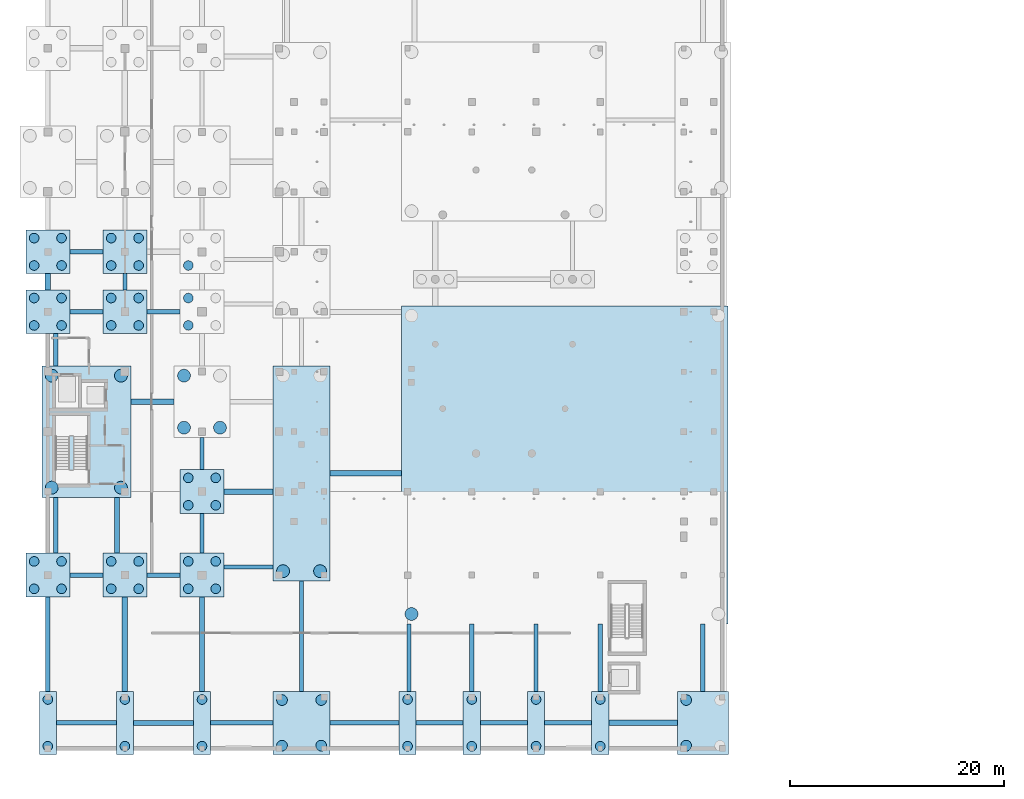
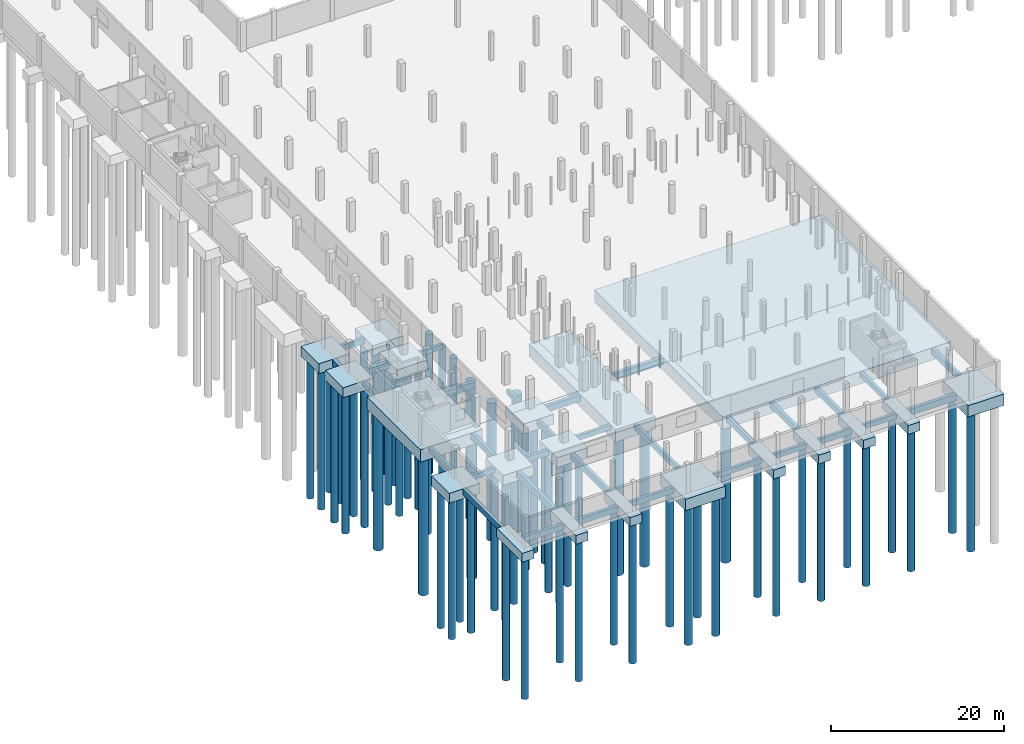
# One storey, part 1 of 34: 65 piles, 53 footings.
"""IFC4 building model written with IfcOpenShell, lengths in metres."""

from ifc_helpers import new_model, si_unit, direction, frame, origin, origin_2d, place, context, subcontext, project, spatial, rectangle, circle, extrude, material, material_profile, profile_set, type_object, element, save


model = new_model("IFC4")

# Units and contexts
model_context = context("Model", 3, precision=1e-05, world=origin(), true_north=direction((0.0, 1.0)))
body_context = subcontext(model_context, "Body", "Model", "MODEL_VIEW")
ifc_project = project(units=[si_unit("LENGTHUNIT", "METRE"), si_unit("AREAUNIT", "SQUARE_METRE"), si_unit("VOLUMEUNIT", "CUBIC_METRE"), si_unit("PLANEANGLEUNIT", "RADIAN"), si_unit("MASSUNIT", "GRAM", prefix="KILO")], contexts=[model_context])

# Site, building, storey
site_placement = place(None, origin())
site = spatial("IfcSite", under=ifc_project, at=site_placement, CompositionType="ELEMENT")
building_placement = place(site_placement, origin())
building = spatial("IfcBuilding", under=site, at=building_placement, Name="Vinh Khe Railworks Police Headquarters", CompositionType="ELEMENT")
storey_placement = place(building_placement, frame((0.0, 0.0, -4.199951171875)))
storey = spatial("IfcBuildingStorey", under=building, at=storey_placement, Name="B1", CompositionType="ELEMENT", Elevation=-4.199951171875)

# Piles
ifc_material = material(Name="Concrete C35/45 (B35)", Category="concrete")
ifc_material_profile_1 = material_profile(ifc_material, circle(Radius=0.5, at=origin_2d()), Name="BORED PILE D1000")
ifc_profile_set_1 = profile_set([ifc_material_profile_1], Name="Concrete C35/45 (B35)")
pile_type_1 = type_object("IfcPileType", Name="Bored Pile D1000", PredefinedType="BORED", material=ifc_profile_set_1)
for number, where, z_axis, x_axis, name in (
    (1, (22.469970703125, 1.469970703125, -1.949951171875), (0.0, 0.0, -1.0), (1.0, 0.0, 0.0), "Bored Pile BP100-145"),
    (2, (22.469970703125, 5.72998046875, -1.949951171875), (0.0, 0.0, -1.0), (1.0, 0.0, 0.0), "Bored Pile BP100-146"),
    (3, (26.1298828125, 1.469970703125, -1.949951171875), (0.0, 0.0, -1.0), (1.0, 0.0, 0.0), "Bored Pile BP100-147"),
    (4, (26.1298828125, 5.72998046875, -1.949951171875), (0.0, 0.0, -1.0), (1.0, 0.0, 0.0), "Bored Pile BP100-148"),
    (5, (60.219970703125, 1.469970703125, -1.949951171875), (0.0, 0.0, -1.0), (1.0, 0.0, 0.0), "Bored Pile BP100-233"),
    (6, (60.219970703125, 5.72998046875, -1.949951171875), (0.0, 0.0, -1.0), (1.0, 0.0, 0.0), "Bored Pile BP100-234"),
):
    element("IfcPile", number, at=place(storey_placement, frame(where, z_axis=z_axis, x_axis=x_axis)), inside=storey, type_object=pile_type_1, Name=name, PredefinedType="BORED", context=body_context, shape_type="SweptSolid", body=[
        extrude(circle(Radius=0.5, at=origin_2d()), origin(), (0.0, 0.0, 1.0), 19.60009765625),
    ])
ifc_material_profile_2 = material_profile(ifc_material, circle(Radius=0.60009765625, at=origin_2d()), Name="BORED PILE D1200")
ifc_profile_set_2 = profile_set([ifc_material_profile_2], Name="Concrete C35/45 (B35)")
pile_type_2 = type_object("IfcPileType", Name="Bored Pile D1200", PredefinedType="BORED", material=ifc_profile_set_2)
for number, where, z_axis, x_axis, name in (
    (7, (0.969970703125, 25.570068359375, -2.10009765625), (0.0, 0.0, -1.0), (1.0, 0.0, 0.0), "Bored Pile BP120-007"),
    (8, (0.969970703125, 36.030029296875, -2.10009765625), (0.0, 0.0, -1.0), (1.0, 0.0, 0.0), "Bored Pile BP120-008"),
    (9, (7.429931640625, 25.570068359375, -2.10009765625), (0.0, 0.0, -1.0), (1.0, 0.0, 0.0), "Bored Pile BP120-009"),
    (10, (7.429931640625, 36.030029296875, -2.10009765625), (0.0, 0.0, -1.0), (1.0, 0.0, 0.0), "Bored Pile BP120-010"),
    (11, (13.320068359375, 31.169921875, -2.10009765625), (0.0, 0.0, -1.0), (1.0, 0.0, 0.0), "Bored Pile BP120-099"),
    (12, (13.320068359375, 36.030029296875, -2.10009765625), (0.0, 0.0, -1.0), (1.0, 0.0, 0.0), "Bored Pile BP120-100"),
    (13, (16.679931640625, 31.169921875, -2.10009765625), (0.0, 0.0, -1.0), (1.0, 0.0, 0.0), "Bored Pile BP120-101"),
    (14, (22.570068359375, 17.77001953125, -2.10009765625), (0.0, 0.0, -1.0), (1.0, 0.0, 0.0), "Bored Pile BP120-149"),
    (15, (26.030029296875, 17.77001953125, -2.10009765625), (0.0, 0.0, -1.0), (1.0, 0.0, 0.0), "Bored Pile BP120-151"),
    (16, (34.570068359375, 13.77001953125, -2.10009765625), (0.0, 0.0, -1.0), (1.0, 0.0, 0.0), "Bored Pile BP120-189"),
):
    element("IfcPile", number, at=place(storey_placement, frame(where, z_axis=z_axis, x_axis=x_axis)), inside=storey, type_object=pile_type_2, Name=name, PredefinedType="BORED", context=body_context, shape_type="SweptSolid", body=[
        extrude(circle(Radius=0.60009765625, at=origin_2d()), origin(), (0.0, 0.0, 1.0), 19.449951171875),
    ])
ifc_material_profile_3 = material_profile(ifc_material, circle(Radius=0.449951171875, at=origin_2d()), Name="BORED PILE D900")
ifc_profile_set_3 = profile_set([ifc_material_profile_3], Name="Concrete C35/45 (B35)")
pile_type_3 = type_object("IfcPileType", Name="Bored Pile D900", PredefinedType="BORED", material=ifc_profile_set_3)
for number, where, z_axis, x_axis, name in (
    (17, (0.60009765625, 1.419921875, -1.60009765625), (0.0, 0.0, -1.0), (1.0, 0.0, 0.0), "Bored Pile BP-001"),
    (18, (0.60009765625, 5.780029296875, -1.60009765625), (0.0, 0.0, -1.0), (1.0, 0.0, 0.0), "Bored Pile BP90-002"),
):
    element("IfcPile", number, at=place(storey_placement, frame(where, z_axis=z_axis, x_axis=x_axis)), inside=storey, type_object=pile_type_3, Name=name, PredefinedType="BORED", context=body_context, shape_type="SweptSolid", body=[
        extrude(circle(Radius=0.449951171875, at=origin_2d()), origin(), (0.0, 0.0, 1.0), 19.949951171875),
    ])
for number, where, z_axis, x_axis, name in (
    (19, (-0.679931640625, 16.1201171875, -1.75), (0.0, 0.0, -1.0), (1.0, 0.0, 0.0), "Bored Pile BP90-003"),
    (20, (-0.679931640625, 18.679931640625, -1.75), (0.0, 0.0, -1.0), (1.0, 0.0, 0.0), "Bored Pile BP90-004"),
    (21, (1.8798828125, 16.1201171875, -1.75), (0.0, 0.0, -1.0), (1.0, 0.0, 0.0), "Bored Pile BP90-005"),
    (22, (1.8798828125, 18.679931640625, -1.75), (0.0, 0.0, -1.0), (1.0, 0.0, 0.0), "Bored Pile BP90-006"),
    (23, (-0.679931640625, 40.719970703125, -1.75), (0.0, 0.0, -1.0), (1.0, 0.0, 0.0), "Bored Pile BP90-011"),
    (24, (-0.679931640625, 43.280029296875, -1.75), (0.0, 0.0, -1.0), (1.0, 0.0, 0.0), "Bored Pile BP90-012"),
    (25, (1.8798828125, 40.719970703125, -1.75), (0.0, 0.0, -1.0), (1.0, 0.0, 0.0), "Bored Pile BP90-013"),
    (26, (1.8798828125, 43.280029296875, -1.75), (0.0, 0.0, -1.0), (1.0, 0.0, 0.0), "Bored Pile BP90-014"),
    (27, (-0.679931640625, 46.320068359375, -1.75), (0.0, 0.0, -1.0), (1.0, 0.0, 0.0), "Bored Pile BP90-015"),
    (28, (-0.679931640625, 48.8798828125, -1.75), (0.0, 0.0, -1.0), (1.0, 0.0, 0.0), "Bored Pile BP90-016"),
    (29, (1.8798828125, 46.320068359375, -1.75), (0.0, 0.0, -1.0), (1.0, 0.0, 0.0), "Bored Pile BP90-017"),
    (30, (1.8798828125, 48.8798828125, -1.75), (0.0, 0.0, -1.0), (1.0, 0.0, 0.0), "Bored Pile BP90-018"),
):
    element("IfcPile", number, at=place(storey_placement, frame(where, z_axis=z_axis, x_axis=x_axis)), inside=storey, type_object=pile_type_3, Name=name, PredefinedType="BORED", context=body_context, shape_type="SweptSolid", body=[
        extrude(circle(Radius=0.449951171875, at=origin_2d()), origin(), (0.0, 0.0, 1.0), 19.800048828125),
    ])
for number, where, z_axis, x_axis, name in (
    (31, (7.800048828125, 1.419921875, -1.60009765625), (0.0, 0.0, -1.0), (1.0, 0.0, 0.0), "Bored Pile BP90-049"),
    (32, (7.800048828125, 5.780029296875, -1.60009765625), (0.0, 0.0, -1.0), (1.0, 0.0, 0.0), "Bored Pile BP90-050"),
):
    element("IfcPile", number, at=place(storey_placement, frame(where, z_axis=z_axis, x_axis=x_axis)), inside=storey, type_object=pile_type_3, Name=name, PredefinedType="BORED", context=body_context, shape_type="SweptSolid", body=[
        extrude(circle(Radius=0.449951171875, at=origin_2d()), origin(), (0.0, 0.0, 1.0), 19.949951171875),
    ])
for number, where, z_axis, x_axis, name in (
    (33, (6.52001953125, 16.1201171875, -1.75), (0.0, 0.0, -1.0), (1.0, 0.0, 0.0), "Bored Pile BP90-051"),
    (34, (6.52001953125, 18.679931640625, -1.75), (0.0, 0.0, -1.0), (1.0, 0.0, 0.0), "Bored Pile BP90-052"),
    (35, (9.080078125, 16.1201171875, -1.75), (0.0, 0.0, -1.0), (1.0, 0.0, 0.0), "Bored Pile BP90-053"),
    (36, (9.080078125, 18.679931640625, -1.75), (0.0, 0.0, -1.0), (1.0, 0.0, 0.0), "Bored Pile BP90-054"),
    (37, (6.52001953125, 40.719970703125, -1.75), (0.0, 0.0, -1.0), (1.0, 0.0, 0.0), "Bored Pile BP90-055"),
    (38, (6.52001953125, 43.280029296875, -1.75), (0.0, 0.0, -1.0), (1.0, 0.0, 0.0), "Bored Pile BP90-056"),
    (39, (9.080078125, 40.719970703125, -1.75), (0.0, 0.0, -1.0), (1.0, 0.0, 0.0), "Bored Pile BP90-057"),
    (40, (9.080078125, 43.280029296875, -1.75), (0.0, 0.0, -1.0), (1.0, 0.0, 0.0), "Bored Pile BP90-058"),
    (41, (6.52001953125, 46.320068359375, -1.75), (0.0, 0.0, -1.0), (1.0, 0.0, 0.0), "Bored Pile BP90-059"),
    (42, (6.52001953125, 48.8798828125, -1.75), (0.0, 0.0, -1.0), (1.0, 0.0, 0.0), "Bored Pile BP90-060"),
    (43, (9.080078125, 46.320068359375, -1.75), (0.0, 0.0, -1.0), (1.0, 0.0, 0.0), "Bored Pile BP90-061"),
    (44, (9.080078125, 48.8798828125, -1.75), (0.0, 0.0, -1.0), (1.0, 0.0, 0.0), "Bored Pile BP90-062"),
):
    element("IfcPile", number, at=place(storey_placement, frame(where, z_axis=z_axis, x_axis=x_axis)), inside=storey, type_object=pile_type_3, Name=name, PredefinedType="BORED", context=body_context, shape_type="SweptSolid", body=[
        extrude(circle(Radius=0.449951171875, at=origin_2d()), origin(), (0.0, 0.0, 1.0), 19.800048828125),
    ])
for number, where, z_axis, x_axis, name in (
    (45, (15.0, 1.419921875, -1.60009765625), (0.0, 0.0, -1.0), (1.0, 0.0, 0.0), "Bored Pile BP90-089"),
    (46, (15.0, 5.780029296875, -1.60009765625), (0.0, 0.0, -1.0), (1.0, 0.0, 0.0), "Bored Pile BP90-090"),
):
    element("IfcPile", number, at=place(storey_placement, frame(where, z_axis=z_axis, x_axis=x_axis)), inside=storey, type_object=pile_type_3, Name=name, PredefinedType="BORED", context=body_context, shape_type="SweptSolid", body=[
        extrude(circle(Radius=0.449951171875, at=origin_2d()), origin(), (0.0, 0.0, 1.0), 19.949951171875),
    ])
for number, where, z_axis, x_axis, name in (
    (47, (13.719970703125, 16.1201171875, -1.75), (0.0, 0.0, -1.0), (1.0, 0.0, 0.0), "Bored Pile BP90-091"),
    (48, (13.719970703125, 18.679931640625, -1.75), (0.0, 0.0, -1.0), (1.0, 0.0, 0.0), "Bored Pile BP90-092"),
    (49, (16.280029296875, 16.1201171875, -1.75), (0.0, 0.0, -1.0), (1.0, 0.0, 0.0), "Bored Pile BP90-093"),
    (50, (16.280029296875, 18.679931640625, -1.75), (0.0, 0.0, -1.0), (1.0, 0.0, 0.0), "Bored Pile BP90-094"),
    (51, (13.719970703125, 23.919921875, -1.75), (0.0, 0.0, -1.0), (1.0, 0.0, 0.0), "Bored Pile BP90-095"),
    (52, (13.719970703125, 26.47998046875, -1.75), (0.0, 0.0, -1.0), (1.0, 0.0, 0.0), "Bored Pile BP90-096"),
    (53, (16.280029296875, 23.919921875, -1.75), (0.0, 0.0, -1.0), (1.0, 0.0, 0.0), "Bored Pile BP90-097"),
    (54, (16.280029296875, 26.47998046875, -1.75), (0.0, 0.0, -1.0), (1.0, 0.0, 0.0), "Bored Pile BP90-098"),
    (55, (13.719970703125, 40.719970703125, -1.75), (0.0, 0.0, -1.0), (1.0, 0.0, 0.0), "Bored Pile BP90-103"),
    (56, (13.719970703125, 43.280029296875, -1.75), (0.0, 0.0, -1.0), (1.0, 0.0, 0.0), "Bored Pile BP90-104"),
    (57, (13.719970703125, 46.320068359375, -1.75), (0.0, 0.0, -1.0), (1.0, 0.0, 0.0), "Bored Pile BP90-107"),
):
    element("IfcPile", number, at=place(storey_placement, frame(where, z_axis=z_axis, x_axis=x_axis)), inside=storey, type_object=pile_type_3, Name=name, PredefinedType="BORED", context=body_context, shape_type="SweptSolid", body=[
        extrude(circle(Radius=0.449951171875, at=origin_2d()), origin(), (0.0, 0.0, 1.0), 19.800048828125),
    ])
for number, where, z_axis, x_axis, name in (
    (58, (34.199951171875, 1.419921875, -1.60009765625), (0.0, 0.0, -1.0), (1.0, 0.0, 0.0), "Bored Pile BP90-187"),
    (59, (34.199951171875, 5.780029296875, -1.60009765625), (0.0, 0.0, -1.0), (1.0, 0.0, 0.0), "Bored Pile BP90-188"),
    (60, (40.199951171875, 1.419921875, -1.60009765625), (0.0, 0.0, -1.0), (1.0, 0.0, 0.0), "Bored Pile BP90-209"),
    (61, (40.199951171875, 5.780029296875, -1.60009765625), (0.0, 0.0, -1.0), (1.0, 0.0, 0.0), "Bored Pile BP90-210"),
    (62, (46.199951171875, 1.419921875, -1.60009765625), (0.0, 0.0, -1.0), (1.0, 0.0, 0.0), "Bored Pile BP90-211"),
    (63, (46.199951171875, 5.780029296875, -1.60009765625), (0.0, 0.0, -1.0), (1.0, 0.0, 0.0), "Bored Pile BP90-212"),
    (64, (52.199951171875, 1.419921875, -1.60009765625), (0.0, 0.0, -1.0), (1.0, 0.0, 0.0), "Bored Pile BP90-225"),
    (65, (52.199951171875, 5.780029296875, -1.60009765625), (0.0, 0.0, -1.0), (1.0, 0.0, 0.0), "Bored Pile BP90-226"),
):
    element("IfcPile", number, at=place(storey_placement, frame(where, z_axis=z_axis, x_axis=x_axis)), inside=storey, type_object=pile_type_3, Name=name, PredefinedType="BORED", context=body_context, shape_type="SweptSolid", body=[
        extrude(circle(Radius=0.449951171875, at=origin_2d()), origin(), (0.0, 0.0, 1.0), 19.949951171875),
    ])

# Footings
ifc_material_profile_4 = material_profile(ifc_material, rectangle(XDim=0.39990234375, YDim=0.699951171875, at=origin_2d()), Name="RC 400x700")
ifc_profile_set_4 = profile_set([ifc_material_profile_4], Name="Concrete C35/45 (B35)")
footing_type_1 = type_object("IfcFootingType", Name="Ground Tie Beam 400x700", PredefinedType="FOOTING_BEAM", material=ifc_profile_set_4)
footing_1_placement = place(storey_placement, frame((2.64990234375, 17.39990234375, -0.800048828125), z_axis=(1.0, 0.0, 0.0), x_axis=(0.0, 1.0, 0.0)))
element("IfcFooting", 66, at=footing_1_placement, inside=storey, type_object=footing_type_1, Name="Ground Tie Beam FTG-GB-B1-X003", PredefinedType="FOOTING_BEAM", context=body_context, shape_type="SweptSolid", body=[
    extrude(rectangle(XDim=0.39990234375, YDim=0.699951171875, at=origin_2d()), origin(), (0.0, 0.0, 1.0), 3.10009765625),
])
footing_2_placement = place(storey_placement, frame((1.35009765625, 36.949951171875, -0.800048828125), z_axis=(0.0, 1.0, 0.0), x_axis=(-1.0, 0.0, 0.0)))
element("IfcFooting", 67, at=footing_2_placement, inside=storey, type_object=footing_type_1, Name="Ground Tie Beam FTG-GB-B1-Y006", PredefinedType="FOOTING_BEAM", context=body_context, shape_type="SweptSolid", body=[
    extrude(rectangle(XDim=0.39990234375, YDim=0.699951171875, at=origin_2d()), origin(), (0.0, 0.0, 1.0), 3.0),
])
footing_3_placement = place(storey_placement, frame((9.85009765625, 42.0, -0.800048828125), z_axis=(1.0, 0.0, 0.0), x_axis=(0.0, 1.0, 0.0)))
element("IfcFooting", 68, at=footing_3_placement, inside=storey, type_object=footing_type_1, Name="Ground Tie Beam FTG-GB-B1-X032", PredefinedType="FOOTING_BEAM", context=body_context, shape_type="SweptSolid", body=[
    extrude(rectangle(XDim=0.39990234375, YDim=0.699951171875, at=origin_2d()), origin(), (0.0, 0.0, 1.0), 3.099853515625),
])
footing_4_placement = place(storey_placement, frame((17.050048828125, 18.14990234375, -0.800048828125), z_axis=(1.0, 0.0, 0.0), x_axis=(0.0, 1.0, 0.0)))
element("IfcFooting", 69, at=footing_4_placement, inside=storey, type_object=footing_type_1, Name="Ground Tie Beam FTG-GB-B1-X053", PredefinedType="FOOTING_BEAM", context=body_context, shape_type="SweptSolid", body=[
    extrude(rectangle(XDim=0.39990234375, YDim=0.699951171875, at=origin_2d()), origin(), (0.0, 0.0, 1.0), 4.599853515625),
])
footing_5_placement = place(storey_placement, frame((15.0, 27.25, -0.800048828125), z_axis=(0.0, 1.0, 0.0), x_axis=(-1.0, 0.0, 0.0)))
element("IfcFooting", 70, at=footing_5_placement, inside=storey, type_object=footing_type_1, Name="Ground Tie Beam FTG-GB-B1-Y056", PredefinedType="FOOTING_BEAM", context=body_context, shape_type="SweptSolid", body=[
    extrude(rectangle(XDim=0.39990234375, YDim=0.699951171875, at=origin_2d()), origin(), (0.0, 0.0, 1.0), 3.0),
])
footing_6_placement = place(storey_placement, frame((26.949951171875, 3.60009765625, -0.800048828125), z_axis=(1.0, 0.0, 0.0), x_axis=(0.0, 1.0, 0.0)))
element("IfcFooting", 71, at=footing_6_placement, inside=storey, type_object=footing_type_1, Name="Ground Tie Beam FTG-GB-B1-X082", PredefinedType="FOOTING_BEAM", context=body_context, shape_type="SweptSolid", body=[
    extrude(rectangle(XDim=0.39990234375, YDim=0.699951171875, at=origin_2d()), origin(), (0.0, 0.0, 1.0), 6.449951171875),
])
for number, where, z_axis, x_axis, name in (
    (72, (35.0, 3.60009765625, -0.800048828125), (1.0, 0.0, 0.0), (0.0, 1.0, 0.0), "Ground Tie Beam FTG-GB-B1-X102"),
    (73, (47.0, 3.60009765625, -0.800048828125), (1.0, 0.0, 0.0), (0.0, 1.0, 0.0), "Ground Tie Beam FTG-GB-B1-X120"),
):
    element("IfcFooting", number, at=place(storey_placement, frame(where, z_axis=z_axis, x_axis=x_axis)), inside=storey, type_object=footing_type_1, Name=name, PredefinedType="FOOTING_BEAM", context=body_context, shape_type="SweptSolid", body=[
        extrude(rectangle(XDim=0.39990234375, YDim=0.699951171875, at=origin_2d()), origin(), (0.0, 0.0, 1.0), 4.39990234375),
    ])
footing_7_placement = place(storey_placement, frame((52.199951171875, 6.550048828125, -0.800048828125), z_axis=(0.0, 1.0, 0.0), x_axis=(-1.0, 0.0, 0.0)))
element("IfcFooting", 74, at=footing_7_placement, inside=storey, type_object=footing_type_1, Name="Ground Tie Beam FTG-GB-B1-Y133", PredefinedType="FOOTING_BEAM", context=body_context, shape_type="SweptSolid", body=[
    extrude(rectangle(XDim=0.39990234375, YDim=0.699951171875, at=origin_2d()), origin(), (0.0, 0.0, 1.0), 6.300048828125),
])
ifc_material_profile_5 = material_profile(ifc_material, rectangle(XDim=0.39990234375, YDim=0.800048828125, at=origin_2d()), Name="RC 400x800")
ifc_profile_set_5 = profile_set([ifc_material_profile_5], Name="Concrete C35/45 (B35)")
footing_type_2 = type_object("IfcFootingType", Name="Ground Tie Beam 400x800", PredefinedType="FOOTING_BEAM", material=ifc_profile_set_5)
footing_8_placement = place(storey_placement, frame((1.39990234375, 3.60009765625, -0.85009765625), z_axis=(1.0, 0.0, 0.0), x_axis=(0.0, 1.0, 0.0)))
element("IfcFooting", 75, at=footing_8_placement, inside=storey, type_object=footing_type_2, Name="Ground Tie Beam FTG-GB-B1-X001", PredefinedType="FOOTING_BEAM", context=body_context, shape_type="SweptSolid", body=[
    extrude(rectangle(XDim=0.39990234375, YDim=0.800048828125, at=origin_2d()), origin(), (0.0, 0.0, 1.0), 5.60009765625),
])
footing_9_placement = place(storey_placement, frame((1.35009765625, 19.449951171875, -0.85009765625), z_axis=(0.0, 1.0, 0.0), x_axis=(-1.0, 0.0, 0.0)))
element("IfcFooting", 76, at=footing_9_placement, inside=storey, type_object=footing_type_2, Name="Ground Tie Beam FTG-GB-B1-Y004", PredefinedType="FOOTING_BEAM", context=body_context, shape_type="SweptSolid", body=[
    extrude(rectangle(XDim=0.39990234375, YDim=0.800048828125, at=origin_2d()), origin(), (0.0, 0.0, 1.0), 5.199951171875),
])
footing_10_placement = place(storey_placement, frame((2.64990234375, 47.60009765625, -0.85009765625), z_axis=(1.0, 0.0, 0.0), x_axis=(0.0, 1.0, 0.0)))
element("IfcFooting", 77, at=footing_10_placement, inside=storey, type_object=footing_type_2, Name="Ground Tie Beam FTG-GB-B1-X009", PredefinedType="FOOTING_BEAM", context=body_context, shape_type="SweptSolid", body=[
    extrude(rectangle(XDim=0.39990234375, YDim=0.800048828125, at=origin_2d()), origin(), (0.0, 0.0, 1.0), 3.10009765625),
])
footing_11_placement = place(storey_placement, frame((9.85009765625, 17.39990234375, -0.85009765625), z_axis=(1.0, 0.0, 0.0), x_axis=(0.0, 1.0, 0.0)))
element("IfcFooting", 78, at=footing_11_placement, inside=storey, type_object=footing_type_2, Name="Ground Tie Beam FTG-GB-B1-X030", PredefinedType="FOOTING_BEAM", context=body_context, shape_type="SweptSolid", body=[
    extrude(rectangle(XDim=0.39990234375, YDim=0.800048828125, at=origin_2d()), origin(), (0.0, 0.0, 1.0), 3.099853515625),
])
footing_12_placement = place(storey_placement, frame((7.800048828125, 44.050048828125, -0.85009765625), z_axis=(0.0, 1.0, 0.0), x_axis=(-1.0, 0.0, 0.0)))
element("IfcFooting", 79, at=footing_12_placement, inside=storey, type_object=footing_type_2, Name="Ground Tie Beam FTG-GB-B1-Y033", PredefinedType="FOOTING_BEAM", context=body_context, shape_type="SweptSolid", body=[
    extrude(rectangle(XDim=0.39990234375, YDim=0.800048828125, at=origin_2d()), origin(), (0.0, 0.0, 1.0), 1.5),
])
footing_13_placement = place(storey_placement, frame((15.800048828125, 3.60009765625, -0.85009765625), z_axis=(1.0, 0.0, 0.0), x_axis=(0.0, 1.0, 0.0)))
element("IfcFooting", 80, at=footing_13_placement, inside=storey, type_object=footing_type_2, Name="Ground Tie Beam FTG-GB-B1-X051", PredefinedType="FOOTING_BEAM", context=body_context, shape_type="SweptSolid", body=[
    extrude(rectangle(XDim=0.39990234375, YDim=0.800048828125, at=origin_2d()), origin(), (0.0, 0.0, 1.0), 5.849853515625),
])
footing_14_placement = place(storey_placement, frame((15.0, 19.449951171875, -0.85009765625), z_axis=(0.0, 1.0, 0.0), x_axis=(-1.0, 0.0, 0.0)))
element("IfcFooting", 81, at=footing_14_placement, inside=storey, type_object=footing_type_2, Name="Ground Tie Beam FTG-GB-B1-Y054", PredefinedType="FOOTING_BEAM", context=body_context, shape_type="SweptSolid", body=[
    extrude(rectangle(XDim=0.39990234375, YDim=0.800048828125, at=origin_2d()), origin(), (0.0, 0.0, 1.0), 3.699951171875),
])
footing_15_placement = place(storey_placement, frame((24.300048828125, 6.550048828125, -0.85009765625), z_axis=(0.0, 1.0, 0.0), x_axis=(-1.0, 0.0, 0.0)))
element("IfcFooting", 82, at=footing_15_placement, inside=storey, type_object=footing_type_2, Name="Ground Tie Beam FTG-GB-B1-Y083", PredefinedType="FOOTING_BEAM", context=body_context, shape_type="SweptSolid", body=[
    extrude(rectangle(XDim=0.39990234375, YDim=0.800048828125, at=origin_2d()), origin(), (0.0, 0.0, 1.0), 10.300048828125),
])
footing_16_placement = place(storey_placement, frame((34.324951171875, 6.550048828125, -0.85009765625), z_axis=(0.0, 1.0, 0.0), x_axis=(-1.0, 0.0, 0.0)))
element("IfcFooting", 83, at=footing_16_placement, inside=storey, type_object=footing_type_2, Name="Ground Tie Beam FTG-GB-B1-Y103", PredefinedType="FOOTING_BEAM", context=body_context, shape_type="SweptSolid", body=[
    extrude(rectangle(XDim=0.39990234375, YDim=0.800048828125, at=origin_2d()), origin(), (0.0, 0.0, 1.0), 6.300048828125),
])
footing_17_placement = place(storey_placement, frame((41.0, 3.60009765625, -0.85009765625), z_axis=(1.0, 0.0, 0.0), x_axis=(0.0, 1.0, 0.0)))
element("IfcFooting", 84, at=footing_17_placement, inside=storey, type_object=footing_type_2, Name="Ground Tie Beam FTG-GB-B1-X118", PredefinedType="FOOTING_BEAM", context=body_context, shape_type="SweptSolid", body=[
    extrude(rectangle(XDim=0.39990234375, YDim=0.800048828125, at=origin_2d()), origin(), (0.0, 0.0, 1.0), 4.39990234375),
])
footing_18_placement = place(storey_placement, frame((46.199951171875, 6.550048828125, -0.85009765625), z_axis=(0.0, 1.0, 0.0), x_axis=(-1.0, 0.0, 0.0)))
element("IfcFooting", 85, at=footing_18_placement, inside=storey, type_object=footing_type_2, Name="Ground Tie Beam FTG-GB-B1-Y121", PredefinedType="FOOTING_BEAM", context=body_context, shape_type="SweptSolid", body=[
    extrude(rectangle(XDim=0.39990234375, YDim=0.800048828125, at=origin_2d()), origin(), (0.0, 0.0, 1.0), 6.300048828125),
])
ifc_material_profile_6 = material_profile(ifc_material, rectangle(XDim=0.449951171875, YDim=0.85009765625, at=origin_2d()), Name="RC 450x850")
ifc_profile_set_6 = profile_set([ifc_material_profile_6], Name="Concrete C35/45 (B35)")
footing_type_3 = type_object("IfcFootingType", Name="Ground Tie Beam 450x850", PredefinedType="FOOTING_BEAM", material=ifc_profile_set_6)
footing_19_placement = place(storey_placement, frame((0.60009765625, 6.550048828125, -0.875), z_axis=(0.0, 1.0, 0.0), x_axis=(-1.0, 0.0, 0.0)))
element("IfcFooting", 86, at=footing_19_placement, inside=storey, type_object=footing_type_3, Name="Ground Tie Beam FTG-GB-B1-Y002", PredefinedType="FOOTING_BEAM", context=body_context, shape_type="SweptSolid", body=[
    extrude(rectangle(XDim=0.449951171875, YDim=0.85009765625, at=origin_2d()), origin(), (0.0, 0.0, 1.0), 8.800048828125),
])
footing_20_placement = place(storey_placement, frame((2.64990234375, 42.0, -0.875), z_axis=(1.0, 0.0, 0.0), x_axis=(0.0, 1.0, 0.0)))
element("IfcFooting", 87, at=footing_20_placement, inside=storey, type_object=footing_type_3, Name="Ground Tie Beam FTG-GB-B1-X007", PredefinedType="FOOTING_BEAM", context=body_context, shape_type="SweptSolid", body=[
    extrude(rectangle(XDim=0.449951171875, YDim=0.85009765625, at=origin_2d()), origin(), (0.0, 0.0, 1.0), 3.10009765625),
])
footing_21_placement = place(storey_placement, frame((8.60009765625, 3.60009765625, -0.875), z_axis=(1.0, 0.0, 0.0), x_axis=(0.0, 1.0, 0.0)))
element("IfcFooting", 88, at=footing_21_placement, inside=storey, type_object=footing_type_3, Name="Ground Tie Beam FTG-GB-B1-X028", PredefinedType="FOOTING_BEAM", context=body_context, shape_type="SweptSolid", body=[
    extrude(rectangle(XDim=0.449951171875, YDim=0.85009765625, at=origin_2d()), origin(), (0.0, 0.0, 1.0), 5.599853515625),
])
footing_22_placement = place(storey_placement, frame((7.050048828125, 19.449951171875, -0.875), z_axis=(0.0, 1.0, 0.0), x_axis=(-1.0, 0.0, 0.0)))
element("IfcFooting", 89, at=footing_22_placement, inside=storey, type_object=footing_type_3, Name="Ground Tie Beam FTG-GB-B1-Y031", PredefinedType="FOOTING_BEAM", context=body_context, shape_type="SweptSolid", body=[
    extrude(rectangle(XDim=0.449951171875, YDim=0.85009765625, at=origin_2d()), origin(), (0.0, 0.0, 1.0), 5.199951171875),
])
footing_23_placement = place(storey_placement, frame((15.0, 6.550048828125, -0.875), z_axis=(0.0, 1.0, 0.0), x_axis=(-1.0, 0.0, 0.0)))
element("IfcFooting", 90, at=footing_23_placement, inside=storey, type_object=footing_type_3, Name="Ground Tie Beam FTG-GB-B1-Y052", PredefinedType="FOOTING_BEAM", context=body_context, shape_type="SweptSolid", body=[
    extrude(rectangle(XDim=0.449951171875, YDim=0.85009765625, at=origin_2d()), origin(), (0.0, 0.0, 1.0), 8.800048828125),
])
for number, where, z_axis, x_axis, name in (
    (91, (40.199951171875, 6.550048828125, -0.875), (0.0, 1.0, 0.0), (-1.0, 0.0, 0.0), "Ground Tie Beam FTG-GB-B1-Y119"),
    (92, (61.77490234375, 6.550048828125, -0.875), (0.0, 1.0, 0.0), (-1.0, 0.0, 0.0), "Ground Tie Beam FTG-GB-B1-Y139"),
):
    element("IfcFooting", number, at=place(storey_placement, frame(where, z_axis=z_axis, x_axis=x_axis)), inside=storey, type_object=footing_type_3, Name=name, PredefinedType="FOOTING_BEAM", context=body_context, shape_type="SweptSolid", body=[
        extrude(rectangle(XDim=0.449951171875, YDim=0.85009765625, at=origin_2d()), origin(), (0.0, 0.0, 1.0), 6.300048828125),
    ])
ifc_material_profile_7 = material_profile(ifc_material, rectangle(XDim=0.5, YDim=0.89990234375, at=origin_2d()), Name="RC 500x900")
ifc_profile_set_7 = profile_set([ifc_material_profile_7], Name="Concrete C35/45 (B35)")
footing_type_4 = type_object("IfcFootingType", Name="Ground Tie Beam 500x900", PredefinedType="FOOTING_BEAM", material=ifc_profile_set_7)
footing_24_placement = place(storey_placement, frame((8.35009765625, 33.60009765625, -0.900146484375), z_axis=(1.0, 0.0, 0.0), x_axis=(0.0, 1.0, 0.0)))
element("IfcFooting", 93, at=footing_24_placement, inside=storey, type_object=footing_type_4, Name="Ground Tie Beam FTG-GB-B1-X005", PredefinedType="FOOTING_BEAM", context=body_context, shape_type="SweptSolid", body=[
    extrude(rectangle(XDim=0.5, YDim=0.89990234375, at=origin_2d()), origin(), (0.0, 0.0, 1.0), 4.0498046875),
])
footing_25_placement = place(storey_placement, frame((0.60009765625, 44.050048828125, -0.900146484375), z_axis=(0.0, 1.0, 0.0), x_axis=(-1.0, 0.0, 0.0)))
element("IfcFooting", 94, at=footing_25_placement, inside=storey, type_object=footing_type_4, Name="Ground Tie Beam FTG-GB-B1-Y008", PredefinedType="FOOTING_BEAM", context=body_context, shape_type="SweptSolid", body=[
    extrude(rectangle(XDim=0.5, YDim=0.89990234375, at=origin_2d()), origin(), (0.0, 0.0, 1.0), 1.5),
])
footing_26_placement = place(storey_placement, frame((7.800048828125, 6.550048828125, -0.900146484375), z_axis=(0.0, 1.0, 0.0), x_axis=(-1.0, 0.0, 0.0)))
element("IfcFooting", 95, at=footing_26_placement, inside=storey, type_object=footing_type_4, Name="Ground Tie Beam FTG-GB-B1-Y029", PredefinedType="FOOTING_BEAM", context=body_context, shape_type="SweptSolid", body=[
    extrude(rectangle(XDim=0.5, YDim=0.89990234375, at=origin_2d()), origin(), (0.0, 0.0, 1.0), 8.800048828125),
])
footing_27_placement = place(storey_placement, frame((17.050048828125, 25.199951171875, -0.900146484375), z_axis=(1.0, 0.0, 0.0), x_axis=(0.0, 1.0, 0.0)))
element("IfcFooting", 96, at=footing_27_placement, inside=storey, type_object=footing_type_4, Name="Ground Tie Beam FTG-GB-B1-X055", PredefinedType="FOOTING_BEAM", context=body_context, shape_type="SweptSolid", body=[
    extrude(rectangle(XDim=0.5, YDim=0.89990234375, at=origin_2d()), origin(), (0.0, 0.0, 1.0), 4.599853515625),
])
footing_28_placement = place(storey_placement, frame((26.949951171875, 26.89990234375, -0.900146484375), z_axis=(1.0, 0.0, 0.0), x_axis=(0.0, 1.0, 0.0)))
element("IfcFooting", 97, at=footing_28_placement, inside=storey, type_object=footing_type_4, Name="Ground Tie Beam FTG-GB-B1-X084", PredefinedType="FOOTING_BEAM", context=body_context, shape_type="SweptSolid", body=[
    extrude(rectangle(XDim=0.5, YDim=0.89990234375, at=origin_2d()), origin(), (0.0, 0.0, 1.0), 6.699951171875),
])
footing_29_placement = place(storey_placement, frame((53.0, 3.60009765625, -0.900146484375), z_axis=(1.0, 0.0, 0.0), x_axis=(0.0, 1.0, 0.0)))
element("IfcFooting", 98, at=footing_29_placement, inside=storey, type_object=footing_type_4, Name="Ground Tie Beam FTG-GB-B1-X132", PredefinedType="FOOTING_BEAM", context=body_context, shape_type="SweptSolid", body=[
    extrude(rectangle(XDim=0.5, YDim=0.89990234375, at=origin_2d()), origin(), (0.0, 0.0, 1.0), 6.39990234375),
])
footing_type_5 = type_object("IfcFootingType", Name="Pile Cap 1600x5900x1250", PredefinedType="PILE_CAP", material=ifc_material)
for number, where, z_axis, x_axis, name in (
    (99, (0.60009765625, 3.60009765625, -1.699951171875), (0.0, 0.0, 1.0), (1.0, 0.0, 0.0), "Pile Cap PC-001"),
    (100, (7.800048828125, 3.60009765625, -1.699951171875), (0.0, 0.0, 1.0), (1.0, 0.0, 0.0), "Pile Cap PC-015"),
    (101, (15.0, 3.60009765625, -1.699951171875), (0.0, 0.0, 1.0), (1.0, 0.0, 0.0), "Pile Cap PC-027"),
    (102, (34.199951171875, 3.60009765625, -1.699951171875), (0.0, 0.0, 1.0), (1.0, 0.0, 0.0), "Pile Cap PC-055"),
    (103, (40.199951171875, 3.60009765625, -1.699951171875), (0.0, 0.0, 1.0), (1.0, 0.0, 0.0), "Pile Cap PC-064"),
    (104, (46.199951171875, 3.60009765625, -1.699951171875), (0.0, 0.0, 1.0), (1.0, 0.0, 0.0), "Pile Cap PC-065"),
    (105, (52.199951171875, 3.60009765625, -1.699951171875), (0.0, 0.0, 1.0), (1.0, 0.0, 0.0), "Pile Cap PC-072"),
):
    element("IfcFooting", number, at=place(storey_placement, frame(where, z_axis=z_axis, x_axis=x_axis)), inside=storey, type_object=footing_type_5, Name=name, PredefinedType="PILE_CAP", context=body_context, shape_type="SweptSolid", body=[
        extrude(rectangle(XDim=1.60009765625, YDim=5.89990234375, at=origin_2d()), origin(), (0.0, 0.0, 1.0), 1.25),
    ])
footing_type_6 = type_object("IfcFootingType", Name="Pile Cap 30500x29700x1750", PredefinedType="PILE_CAP", material=ifc_material)
footing_30_placement = place(storey_placement, frame((48.89990234375, 27.699951171875, -2.199951171875), z_axis=(0.0, 0.0, 1.0), x_axis=(1.0, 0.0, 0.0)))
element("IfcFooting", 106, at=footing_30_placement, inside=storey, type_object=footing_type_6, Name="Pile Cap PC-056", PredefinedType="PILE_CAP", context=body_context, shape_type="SweptSolid", body=[
    extrude(rectangle(XDim=30.5, YDim=29.699951171875, at=origin_2d()), origin(), (0.0, 0.0, 1.0), 1.75),
])
footing_type_7 = type_object("IfcFootingType", Name="Pile Cap 4100x4100x1400", PredefinedType="PILE_CAP", material=ifc_material)
for number, where, z_axis, x_axis, name in (
    (107, (0.60009765625, 17.39990234375, -1.85009765625), (0.0, 0.0, 1.0), (1.0, 0.0, 0.0), "Pile Cap PC-002"),
    (108, (0.60009765625, 42.0, -1.85009765625), (0.0, 0.0, 1.0), (1.0, 0.0, 0.0), "Pile Cap PC-004"),
    (109, (0.60009765625, 47.60009765625, -1.85009765625), (0.0, 0.0, 1.0), (1.0, 0.0, 0.0), "Pile Cap PC-005"),
    (110, (7.800048828125, 17.39990234375, -1.85009765625), (0.0, 0.0, 1.0), (1.0, 0.0, 0.0), "Pile Cap PC-016"),
    (111, (7.800048828125, 42.0, -1.85009765625), (0.0, 0.0, 1.0), (1.0, 0.0, 0.0), "Pile Cap PC-017"),
    (112, (7.800048828125, 47.60009765625, -1.85009765625), (0.0, 0.0, 1.0), (1.0, 0.0, 0.0), "Pile Cap PC-018"),
    (113, (15.0, 17.39990234375, -1.85009765625), (0.0, 0.0, 1.0), (1.0, 0.0, 0.0), "Pile Cap PC-028"),
    (114, (15.0, 25.199951171875, -1.85009765625), (0.0, 0.0, 1.0), (1.0, 0.0, 0.0), "Pile Cap PC-029"),
):
    element("IfcFooting", number, at=place(storey_placement, frame(where, z_axis=z_axis, x_axis=x_axis)), inside=storey, type_object=footing_type_7, Name=name, PredefinedType="PILE_CAP", context=body_context, shape_type="SweptSolid", body=[
        extrude(rectangle(XDim=4.10009765625, YDim=4.10009765625, at=origin_2d()), origin(), (0.0, 0.0, 1.0), 1.39990234375),
    ])
footing_type_8 = type_object("IfcFootingType", Name="Pile Cap 4800x5900x1600", PredefinedType="PILE_CAP", material=ifc_material)
footing_31_placement = place(storey_placement, frame((61.800048828125, 3.60009765625, -2.050048828125), z_axis=(0.0, 0.0, 1.0), x_axis=(1.0, 0.0, 0.0)))
element("IfcFooting", 115, at=footing_31_placement, inside=storey, type_object=footing_type_8, Name="Pile Cap PC-076", PredefinedType="PILE_CAP", context=body_context, shape_type="SweptSolid", body=[
    extrude(rectangle(XDim=4.800048828125, YDim=5.89990234375, at=origin_2d()), origin(), (0.0, 0.0, 1.0), 1.60009765625),
])
footing_type_9 = type_object("IfcFootingType", Name="Pile Cap 5300x20100x1750", PredefinedType="PILE_CAP", material=ifc_material)
footing_32_placement = place(storey_placement, frame((24.300048828125, 26.89990234375, -2.199951171875), z_axis=(0.0, 0.0, 1.0), x_axis=(1.0, 0.0, 0.0)))
element("IfcFooting", 116, at=footing_32_placement, inside=storey, type_object=footing_type_9, Name="Pile Cap PC-044", PredefinedType="PILE_CAP", context=body_context, shape_type="SweptSolid", body=[
    extrude(rectangle(XDim=5.300048828125, YDim=20.10009765625, at=origin_2d()), origin(), (0.0, 0.0, 1.0), 1.75),
])
footing_type_10 = type_object("IfcFootingType", Name="Pile Cap 5300x5900x1600", PredefinedType="PILE_CAP", material=ifc_material)
footing_33_placement = place(storey_placement, frame((24.300048828125, 3.60009765625, -2.050048828125), z_axis=(0.0, 0.0, 1.0), x_axis=(1.0, 0.0, 0.0)))
element("IfcFooting", 117, at=footing_33_placement, inside=storey, type_object=footing_type_10, Name="Pile Cap PC-043", PredefinedType="PILE_CAP", context=body_context, shape_type="SweptSolid", body=[
    extrude(rectangle(XDim=5.300048828125, YDim=5.89990234375, at=origin_2d()), origin(), (0.0, 0.0, 1.0), 1.60009765625),
])
footing_type_11 = type_object("IfcFootingType", Name="Pile Cap 8300x12300x1750", PredefinedType="PILE_CAP", material=ifc_material)
footing_34_placement = place(storey_placement, frame((4.199951171875, 30.800048828125, -2.199951171875), z_axis=(0.0, 0.0, 1.0), x_axis=(1.0, 0.0, 0.0)))
element("IfcFooting", 118, at=footing_34_placement, inside=storey, type_object=footing_type_11, Name="Pile Cap PC-003", PredefinedType="PILE_CAP", context=body_context, shape_type="SweptSolid", body=[
    extrude(rectangle(XDim=8.300048828125, YDim=12.300048828125, at=origin_2d()), origin(), (0.0, 0.0, 1.0), 1.75),
])

save(model, "model.ifc")
